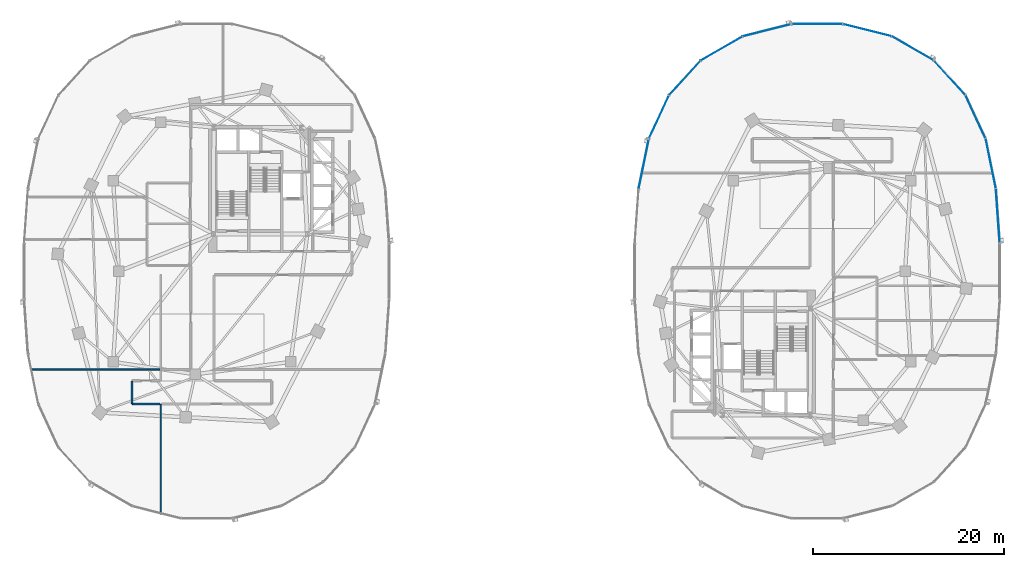
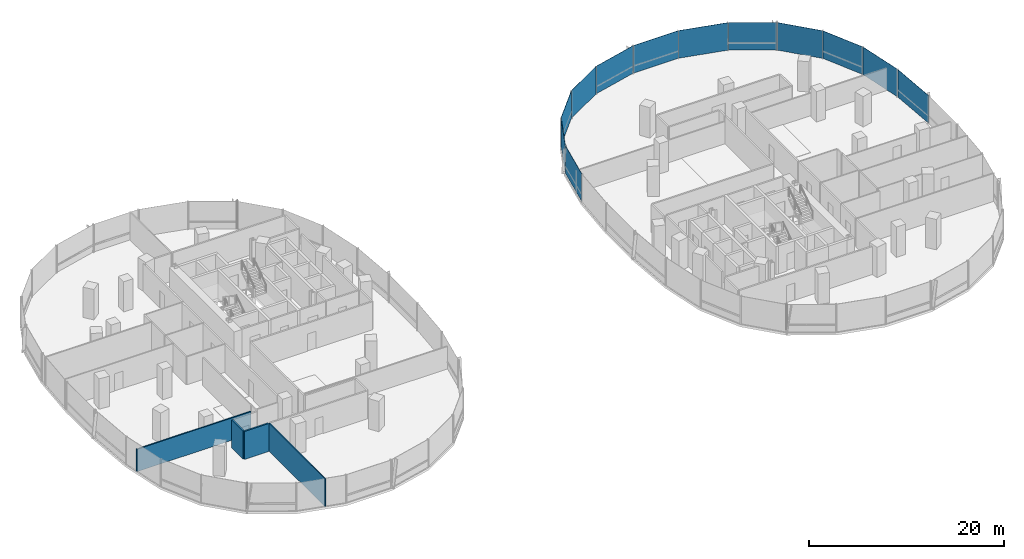
# One storey, part 10 of 21: 12 plates, 4 walls, 2 elements without a shape of their own.
"""IFC4 building model written with IfcOpenShell, lengths in metres."""

from ifc_helpers import new_model, si_unit, direction, frame, frame_2d, origin, origin_2d, place, context, subcontext, project, spatial, rectangle, extrude, material, layer, layer_set, type_object, element, aggregate, save


model = new_model("IFC4")

# Units and contexts
model_context = context("Model", 3, precision=1e-05, world=origin(), true_north=direction((0.0, 1.0)))
body_context = subcontext(model_context, "Body", "Model", "MODEL_VIEW")
ifc_project = project(units=[si_unit("LENGTHUNIT", "METRE"), si_unit("AREAUNIT", "SQUARE_METRE"), si_unit("VOLUMEUNIT", "CUBIC_METRE"), si_unit("PLANEANGLEUNIT", "RADIAN"), si_unit("MASSUNIT", "GRAM", prefix="KILO"), si_unit("THERMODYNAMICTEMPERATUREUNIT", "KELVIN"), si_unit("POWERUNIT", "WATT")], contexts=[model_context])

# Site, building, storey
site_placement = place(None, origin())
site = spatial("IfcSite", under=ifc_project, at=site_placement, CompositionType="ELEMENT")
building_placement = place(site_placement, origin())
building = spatial("IfcBuilding", under=site, at=building_placement, Name="Cundina Bronze Exchange", CompositionType="ELEMENT")
storey_placement = place(building_placement, frame((0.0, 0.0, 46.800048828125)))
storey = spatial("IfcBuildingStorey", under=building, at=storey_placement, Name="L11", CompositionType="ELEMENT", Elevation=46.800048828125)

# Curtain wall, plates
ifc_material_1 = material(Name="Anodised Bronze Aluminium 6063-T6", Category="aluminium")
curtain_wall_type = type_object("IfcCurtainWallType", Name="CWS-TRD-LOW", PredefinedType="NOTDEFINED", material=ifc_material_1)
curtain_wall_1_placement = place(storey_placement, origin())
curtain_wall_1 = element("IfcCurtainWall", 1, at=curtain_wall_1_placement, inside=storey, type_object=curtain_wall_type, Name="L11 CW-02 Curtain Wall Run CWR-L11-E1", PredefinedType="NOTDEFINED")
ifc_material_2 = material(Name="Heat-Strengthened Solar-Control Bronze Safety Glass 28mm", Category="glass")
ifc_layer_1 = layer(ifc_material_2, 0.028076171875, Name="Heat-Strengthened Solar-Control Bronze Safety Glass 28mm", Category="glass")
ifc_layer_set_1 = layer_set([ifc_layer_1], Name="Heat-Strengthened Solar-Control Bronze Safety Glass 28mm")
plate_type_1 = type_object("IfcPlateType", Name="PLT-GLZ-VIS28", PredefinedType="CURTAIN_PANEL", material=ifc_layer_set_1)
plate_1_placement = place(storey_placement, frame((50.9267578125, 5.783935546875, 0.02001953125), z_axis=(0.0, 0.0, 1.0), x_axis=(-0.070278787473, 0.997527389113, 0.0)))
plate_1 = element("IfcPlate", 2, at=plate_1_placement, type_object=plate_type_1, Name="CW-02 Glazed Panel 1", PredefinedType="CURTAIN_PANEL", context=body_context, shape_type="SweptSolid", body=[
    extrude(rectangle(XDim=5.644287109375, YDim=0.028076171875, at=origin_2d()), origin(), (0.0, 0.0, 1.0), 3.4599609375),
])
plate_2_placement = place(storey_placement, frame((50.18408203125, 11.269775390625, 0.02001953125), z_axis=(0.0, 0.0, 1.0), x_axis=(-0.201419845156, 0.979505000486, 0.0)))
plate_2 = element("IfcPlate", 3, at=plate_2_placement, type_object=plate_type_1, Name="CW-02 Glazed Panel 2", PredefinedType="CURTAIN_PANEL", context=body_context, shape_type="SweptSolid", body=[
    extrude(rectangle(XDim=5.306640625, YDim=0.028076171875, at=origin_2d()), origin(), (0.0, 0.0, 1.0), 3.4599609375),
])
plate_3_placement = place(storey_placement, frame((48.586181640625, 16.177734375, 0.02001953125), z_axis=(0.0, 0.0, 1.0), x_axis=(-0.42084583328, 0.907132175932, 0.0)))
plate_3 = element("IfcPlate", 4, at=plate_3_placement, type_object=plate_type_1, Name="CW-02 Glazed Panel 3", PredefinedType="CURTAIN_PANEL", context=body_context, shape_type="SweptSolid", body=[
    extrude(rectangle(XDim=4.966552734375, YDim=0.028076171875, at=origin_2d()), origin(), (0.0, 0.0, 1.0), 3.4599609375),
])
plate_4_placement = place(storey_placement, frame((42.019287109375, 23.34423828125, 0.02001953125), z_axis=(0.0, 0.0, 1.0), x_axis=(-0.867105478933, 0.498124571171, 0.0)))
plate_4 = element("IfcPlate", 5, at=plate_4_placement, type_object=plate_type_1, Name="CW-02 Glazed Panel 5", PredefinedType="CURTAIN_PANEL", context=body_context, shape_type="SweptSolid", body=[
    extrude(rectangle(XDim=5.021240234375, YDim=0.028076171875, at=origin_2d()), origin(), (0.0, 0.0, 1.0), 3.4599609375),
])
plate_5_placement = place(storey_placement, frame((37.255615234375, 25.256591796875, 0.02001953125), z_axis=(0.0, 0.0, 1.0), x_axis=(-0.969488149345, 0.245138182011, 0.0)))
plate_5 = element("IfcPlate", 6, at=plate_5_placement, type_object=plate_type_1, Name="CW-02 Glazed Panel 6", PredefinedType="CURTAIN_PANEL", context=body_context, shape_type="SweptSolid", body=[
    extrude(rectangle(XDim=5.2333984375, YDim=0.028076171875, at=origin_2d()), origin(), (0.0, 0.0, 1.0), 3.4599609375),
])
plate_6_placement = place(storey_placement, frame((32.0, 25.905029296875, 0.02001953125), z_axis=(0.0, 0.0, 1.0), x_axis=(-1.0, 0.0, 0.0)))
plate_6 = element("IfcPlate", 7, at=plate_6_placement, type_object=plate_type_1, Name="CW-02 Glazed Panel 7", PredefinedType="CURTAIN_PANEL", context=body_context, shape_type="SweptSolid", body=[
    extrude(rectangle(XDim=5.323974609375, YDim=0.028076171875, at=origin_2d()), origin(), (0.0, 0.0, 1.0), 3.4599609375),
])

curtain_wall_2_placement = place(storey_placement, origin())
curtain_wall_2 = element("IfcCurtainWall", 8, at=curtain_wall_2_placement, inside=storey, type_object=curtain_wall_type, Name="L11 CW-02 Curtain Wall Run CWR-L11-E2", PredefinedType="NOTDEFINED")
plate_7_placement = place(storey_placement, frame((26.744384765625, 25.256591796875, 0.02001953125), z_axis=(0.0, 0.0, 1.0), x_axis=(-0.969488149345, -0.245138182011, 0.0)))
plate_7 = element("IfcPlate", 9, at=plate_7_placement, type_object=plate_type_1, Name="CW-02 Glazed Panel 1", PredefinedType="CURTAIN_PANEL", context=body_context, shape_type="SweptSolid", body=[
    extrude(rectangle(XDim=5.2333984375, YDim=0.028076171875, at=origin_2d()), origin(), (0.0, 0.0, 1.0), 3.4599609375),
])
plate_8_placement = place(storey_placement, frame((21.980712890625, 23.34423828125, 0.02001953125), z_axis=(0.0, 0.0, 1.0), x_axis=(-0.867105478933, -0.498124571171, 0.0)))
plate_8 = element("IfcPlate", 10, at=plate_8_placement, type_object=plate_type_1, Name="CW-02 Glazed Panel 2", PredefinedType="CURTAIN_PANEL", context=body_context, shape_type="SweptSolid", body=[
    extrude(rectangle(XDim=5.021240234375, YDim=0.028076171875, at=origin_2d()), origin(), (0.0, 0.0, 1.0), 3.4599609375),
])
plate_9_placement = place(storey_placement, frame((15.413818359375, 16.177734375, 0.02001953125), z_axis=(0.0, 0.0, 1.0), x_axis=(-0.42084583328, -0.907132175932, 0.0)))
plate_9 = element("IfcPlate", 11, at=plate_9_placement, type_object=plate_type_1, Name="CW-02 Glazed Panel 4", PredefinedType="CURTAIN_PANEL", context=body_context, shape_type="SweptSolid", body=[
    extrude(rectangle(XDim=4.966552734375, YDim=0.028076171875, at=origin_2d()), origin(), (0.0, 0.0, 1.0), 3.4599609375),
])
plate_10_placement = place(storey_placement, frame((13.81591796875, 11.269775390625, 0.02001953125), z_axis=(0.0, 0.0, 1.0), x_axis=(-0.201419845156, -0.979505000486, 0.0)))
plate_10 = element("IfcPlate", 12, at=plate_10_placement, type_object=plate_type_1, Name="CW-02 Glazed Panel 5", PredefinedType="CURTAIN_PANEL", context=body_context, shape_type="SweptSolid", body=[
    extrude(rectangle(XDim=5.306640625, YDim=0.028076171875, at=origin_2d()), origin(), (0.0, 0.0, 1.0), 3.4599609375),
])

# Plate
ifc_material_3 = material(Name="Dark Bronze Spandrel Glass Panel 32mm", Category="glass")
ifc_layer_2 = layer(ifc_material_3, 0.031982421875, Name="Dark Bronze Spandrel Glass Panel 32mm", Category="glass")
ifc_layer_set_2 = layer_set([ifc_layer_2], Name="Dark Bronze Spandrel Glass Panel 32mm")
plate_type_2 = type_object("IfcPlateType", Name="PLT-SPN-BRZ32", PredefinedType="CURTAIN_PANEL", material=ifc_layer_set_2)
plate_11_placement = place(storey_placement, frame((45.8740234375, 20.267333984375, 0.02001953125), z_axis=(0.0, 0.0, 1.0), x_axis=(-0.674276610219, 0.73847887777, 0.0)))
plate_11 = element("IfcPlate", 13, at=plate_11_placement, type_object=plate_type_2, Name="CW-02 Glazed Panel 4", PredefinedType="CURTAIN_PANEL", context=body_context, shape_type="SweptSolid", body=[
    extrude(rectangle(XDim=4.86328125, YDim=0.031982421875, at=origin_2d()), origin(), (0.0, 0.0, 1.0), 3.4599609375),
])

aggregate(curtain_wall_1, [plate_1, plate_2, plate_3, plate_11, plate_4, plate_5, plate_6])

plate_12_placement = place(storey_placement, frame((18.1259765625, 20.267333984375, 0.02001953125), z_axis=(0.0, 0.0, 1.0), x_axis=(-0.674276610219, -0.73847887777, 0.0)))
plate_12 = element("IfcPlate", 14, at=plate_12_placement, type_object=plate_type_2, Name="CW-02 Glazed Panel 3", PredefinedType="CURTAIN_PANEL", context=body_context, shape_type="SweptSolid", body=[
    extrude(rectangle(XDim=4.86328125, YDim=0.031982421875, at=origin_2d()), origin(), (0.0, 0.0, 1.0), 3.4599609375),
])

aggregate(curtain_wall_2, [plate_7, plate_8, plate_12, plate_9, plate_10])

# Walls
ifc_material_4 = material(Name="Gypsum Fireboard Partition EI120")
ifc_layer_3 = layer(ifc_material_4, 0.179931640625, Name="Gypsum Fireboard Partition EI120")
ifc_layer_set_3 = layer_set([ifc_layer_3], Name="Gypsum Fireboard Partition EI120")
wall_type_1 = type_object("IfcWallType", Name="WL-COR-180", PredefinedType="PARTITIONING", material=ifc_layer_set_3)
wall_1_placement = place(storey_placement, frame((-39.778564453125, -13.919921875, 0.0), z_axis=(0.0, 0.0, 1.0), x_axis=(1.0, 0.0, 0.0)))
element("IfcWall", 15, at=wall_1_placement, inside=storey, type_object=wall_type_1, Name="L11 Interior Partition 028", PredefinedType="PARTITIONING", context=body_context, shape_type="SweptSolid", body=[
    extrude(rectangle(XDim=2.86865234375, YDim=0.179931640625, at=frame_2d((1.434326171875, 0.0))), origin(), (0.0, 0.0, 1.0), 3.5),
])
wall_2_placement = place(storey_placement, frame((-39.820068359375, -11.521484375, 0.0), z_axis=(0.0, 0.0, 1.0), x_axis=(0.0, -1.0, 0.0)))
element("IfcWall", 16, at=wall_2_placement, inside=storey, type_object=wall_type_1, Name="L11 Interior Partition 029", PredefinedType="PARTITIONING", context=body_context, shape_type="SweptSolid", body=[
    extrude(rectangle(XDim=2.35693359375, YDim=0.179931640625, at=frame_2d((1.178466796875, 0.0))), origin(), (0.0, 0.0, 1.0), 3.5),
])
ifc_material_5 = material(Name="Gypsum Acoustic Partition EI60")
ifc_layer_4 = layer(ifc_material_5, 0.125, Name="Gypsum Acoustic Partition EI60")
ifc_layer_set_4 = layer_set([ifc_layer_4], Name="Gypsum Acoustic Partition EI60")
wall_type_2 = type_object("IfcWallType", Name="WL-OFF-125", PredefinedType="PARTITIONING", material=ifc_layer_set_4)
wall_3_placement = place(storey_placement, frame((-36.820068359375, -25.44970703125, 0.0), z_axis=(0.0, 0.0, 1.0), x_axis=(0.0, 1.0, 0.0)))
element("IfcWall", 17, at=wall_3_placement, inside=storey, type_object=wall_type_2, Name="L11 Interior Partition 015", PredefinedType="PARTITIONING", context=body_context, shape_type="SweptSolid", body=[
    extrude(rectangle(XDim=11.499755859375, YDim=0.125, at=frame_2d((5.75, 0.0))), origin(), (0.0, 0.0, 1.0), 3.5),
])
ifc_layer_5 = layer(ifc_material_5, 0.14990234375, Name="Gypsum Acoustic Partition EI60")
ifc_layer_set_5 = layer_set([ifc_layer_5], Name="Gypsum Acoustic Partition EI60")
wall_type_3 = type_object("IfcWallType", Name="WL-TEN-150", PredefinedType="PARTITIONING", material=ifc_layer_set_5)
wall_4_placement = place(storey_placement, frame((-50.463623046875, -10.31005859375, 0.0), z_axis=(0.0, 0.0, 1.0), x_axis=(1.0, 0.0, 0.0)))
element("IfcWall", 18, at=wall_4_placement, inside=storey, type_object=wall_type_3, Name="L11 Interior Partition 018", PredefinedType="PARTITIONING", context=body_context, shape_type="SweptSolid", body=[
    extrude(rectangle(XDim=13.548583984375, YDim=0.14990234375, at=frame_2d((6.7744140625, 0.0))), origin(), (0.0, 0.0, 1.0), 2.804931640625),
])

save(model, "model.ifc")
